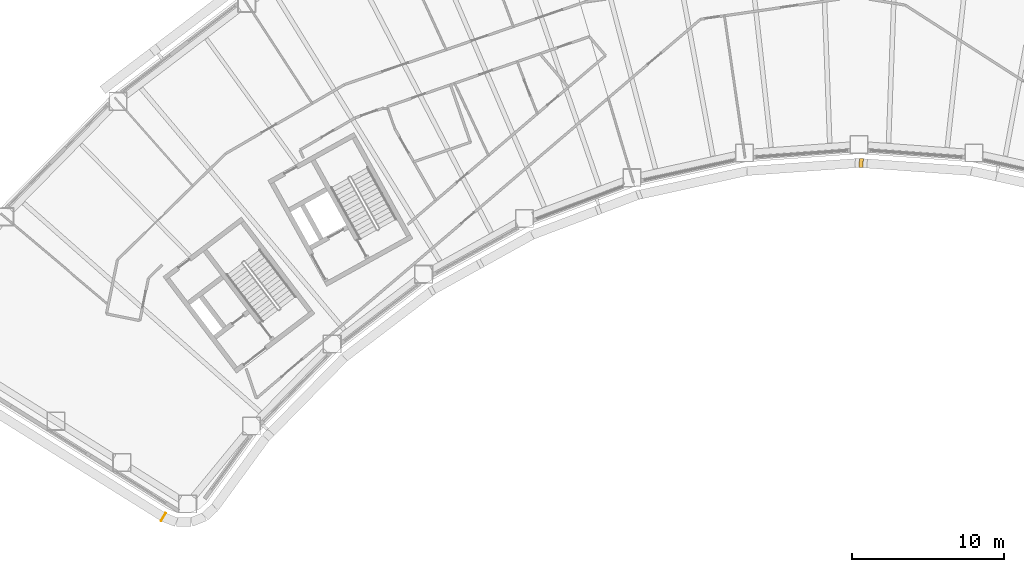
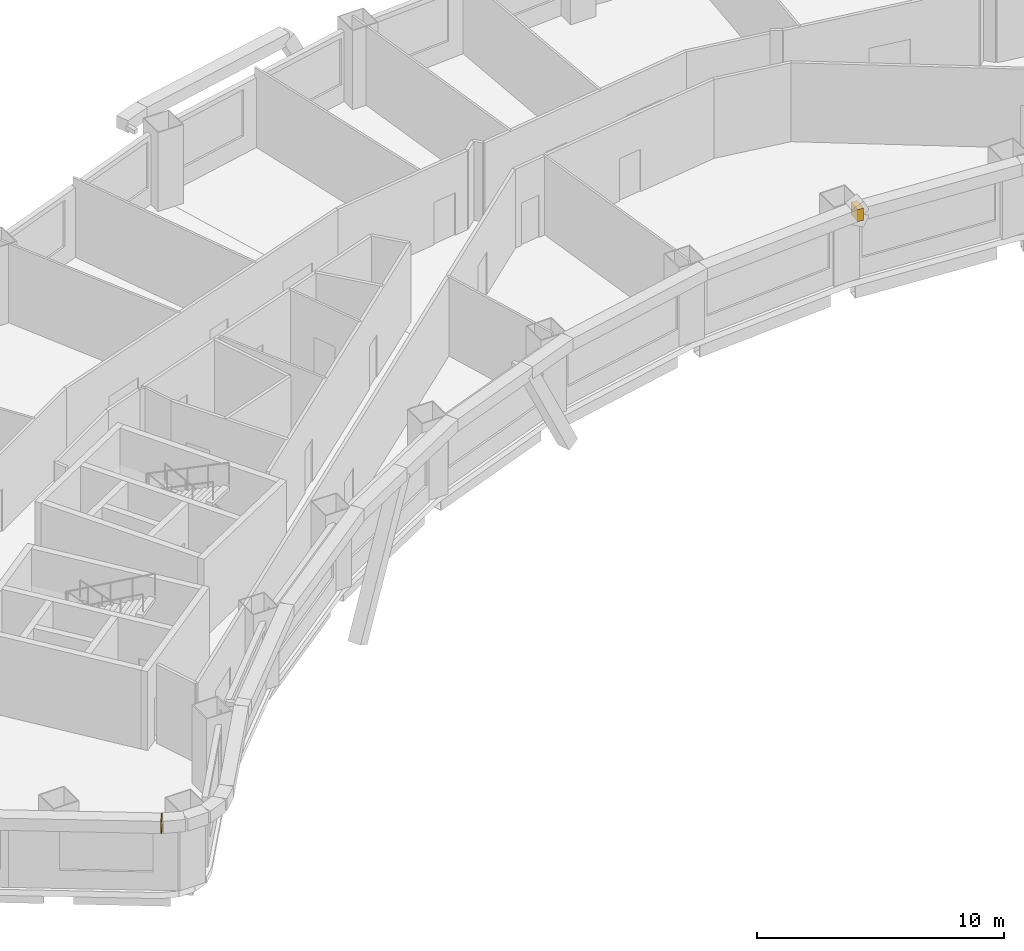
# One storey, part 15 of 15: 2 coverings.
"""IFC4 building model written with IfcOpenShell, lengths in metres."""

from ifc_helpers import new_model, si_unit, direction, frame, origin, origin_2d, place, context, subcontext, project, spatial, rectangle, extrude, material, material_profile, profile_set, type_object, element, save


model = new_model("IFC4")

# Units and contexts
model_context = context("Model", 3, precision=1e-05, world=origin(), true_north=direction((0.0, 1.0)))
body_context = subcontext(model_context, "Body", "Model", "MODEL_VIEW")
ifc_project = project(units=[si_unit("LENGTHUNIT", "METRE"), si_unit("AREAUNIT", "SQUARE_METRE"), si_unit("VOLUMEUNIT", "CUBIC_METRE"), si_unit("PLANEANGLEUNIT", "RADIAN"), si_unit("MASSUNIT", "GRAM", prefix="KILO")], contexts=[model_context])

# Site, building, storey
site_placement = place(None, origin())
site = spatial("IfcSite", under=ifc_project, at=site_placement, CompositionType="ELEMENT")
building_placement = place(site_placement, origin())
building = spatial("IfcBuilding", under=site, at=building_placement, Name="Tuul Gate Civic Tower", CompositionType="ELEMENT")
storey_placement = place(building_placement, frame((0.0, 0.0, 78.0)))
storey = spatial("IfcBuildingStorey", under=building, at=storey_placement, Name="Level 17", CompositionType="ELEMENT", Elevation=78.0)

# Coverings
ifc_material = material(Name="Terracotta baguette", Category="masonry")
ifc_material_profile = material_profile(ifc_material, rectangle(XDim=0.60009765625, YDim=0.60009765625, at=origin_2d()), Name="Terracotta baguette screen frame")
ifc_profile_set = profile_set([ifc_material_profile], Name="Terracotta baguette")
covering_type = type_object("IfcCoveringType", Name="Terracotta baguette screen frame", PredefinedType="CLADDING", material=ifc_profile_set)
covering_1_placement = place(storey_placement, frame((-41.12109375, -27.198974609375, 3.85009765625), z_axis=(0.848510478701, -0.529178578114, 0.0), x_axis=(0.529178578114, 0.848510478701, 0.0)))
element("IfcCovering", 1, at=covering_1_placement, inside=storey, type_object=covering_type, Name="Baguette 164", PredefinedType="CLADDING", context=body_context, shape_type="SweptSolid", body=[
    extrude(rectangle(XDim=0.60009765625, YDim=0.60009765625, at=origin_2d()), origin(), (0.0, 0.0, 1.0), 0.053466796875),
])
covering_2_placement = place(storey_placement, frame((4.80810546875, -3.85205078125, 3.85009765625), z_axis=(0.997430282696, -0.071643779634, 0.0), x_axis=(0.071643779634, 0.997430282696, 0.0)))
element("IfcCovering", 2, at=covering_2_placement, inside=storey, type_object=covering_type, Name="Baguette 347", PredefinedType="CLADDING", context=body_context, shape_type="SweptSolid", body=[
    extrude(rectangle(XDim=0.60009765625, YDim=0.60009765625, at=origin_2d()), origin(), (0.0, 0.0, 1.0), 0.262451171875),
])

save(model, "model.ifc")
